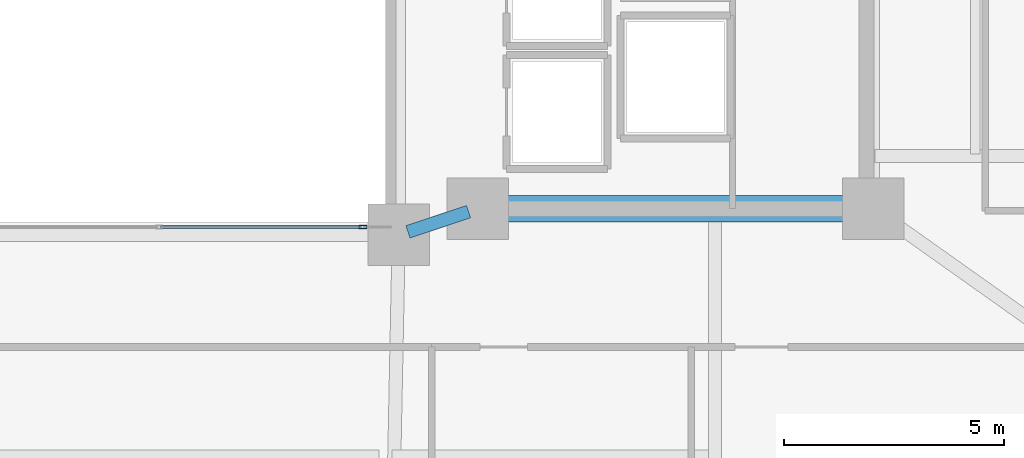
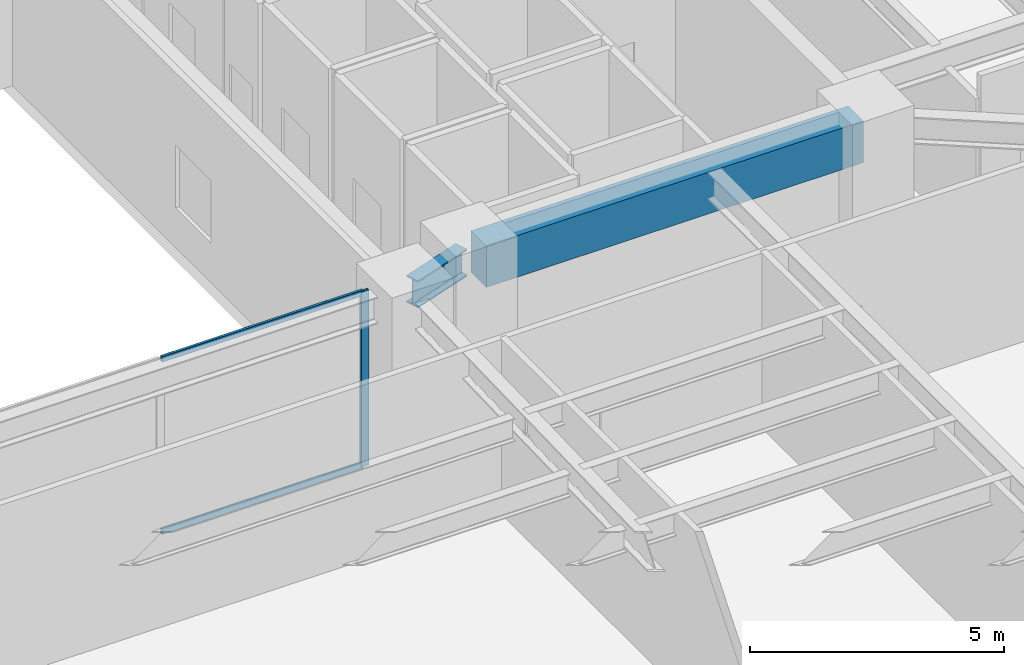
# One storey, part 14 of 39: 3 members, 2 beams, 1 element without a shape of its own.
"""IFC4 building model written with IfcOpenShell, lengths in metres."""

import ifcopenshell
import ifcopenshell.guid

model = None  # the IFC model being written
_history = None  # IfcOwnerHistory: only IFC2X3 demands one
_inside = {}  # id of a spatial element -> (the spatial element, [elements in it])
_under = {}  # id of a project, library or spatial element -> (it, [spatial elements below it])
_declared = {}  # id of a project -> (the project, [libraries it declares])
_typed = {}  # id of a type object -> (the type object, [elements of that type])
_made_of = {}  # id of a material, layer set ... -> (it, [elements and type objects made of it])


def new_model(schema):
    """Start an empty IFC model of exactly this schema.

    Asked for "IFC4X3", IfcOpenShell would pick the latest addendum, in which some entities
    have other attributes; the version numbers below select the first issue.
    IFC2X3 requires an IfcOwnerHistory on every rooted entity: one is made here for all.
    """
    global model, _history
    if schema == "IFC4X3":
        model = ifcopenshell.file(schema_version=(4, 3, 0, 0))
    else:
        model = ifcopenshell.file(schema=schema)
    _inside.clear()
    _under.clear()
    _declared.clear()
    _typed.clear()
    _made_of.clear()
    _history = None
    if model.schema == "IFC2X3":
        org = make("IfcOrganization", Name="unknown")
        user = make(
            "IfcPersonAndOrganization",
            ThePerson=make("IfcPerson", FamilyName="unknown"),
            TheOrganization=org,
        )
        app = make(
            "IfcApplication",
            ApplicationDeveloper=org,
            Version="unknown",
            ApplicationFullName="unknown",
            ApplicationIdentifier="unknown",
        )
        _history = make(
            "IfcOwnerHistory",
            OwningUser=user,
            OwningApplication=app,
            ChangeAction="ADDED",
            CreationDate=0,
        )
    return model


def make(cls, **values):
    """One entity of the class cls with the attributes given. An attribute that is None is left unset."""
    return model.create_entity(
        cls, **{name: value for name, value in values.items() if value is not None}
    )


def rooted(cls, **values):
    """An entity with a GlobalId (a new one), such as an element, a storey or a relation."""
    return make(cls, GlobalId=ifcopenshell.guid.new(), OwnerHistory=_history, **values)


def si_unit(unit_type, name, prefix=None):
    """IfcSIUnit, for example si_unit("LENGTHUNIT", "METRE", prefix="MILLI")."""
    return make("IfcSIUnit", UnitType=unit_type, Prefix=prefix, Name=name)


def assignment(units):
    """IfcUnitAssignment: the units of a project."""
    return None if units is None else make("IfcUnitAssignment", Units=units)


def point(xyz):
    """IfcCartesianPoint."""
    return None if xyz is None else make("IfcCartesianPoint", Coordinates=xyz)


def direction(xyz):
    """IfcDirection."""
    return None if xyz is None else make("IfcDirection", DirectionRatios=xyz)


def frame(location, z_axis=None, x_axis=None):
    """IfcAxis2Placement3D, a coordinate frame: its origin and axes. An axis left out is left unset."""
    return make(
        "IfcAxis2Placement3D",
        Location=point(location),
        Axis=direction(z_axis),
        RefDirection=direction(x_axis),
    )


def frame_2d(location, x_axis=None):
    """IfcAxis2Placement2D, a coordinate frame in the plane: its origin and x axis."""
    return make(
        "IfcAxis2Placement2D", Location=point(location), RefDirection=direction(x_axis)
    )


def origin():
    """The frame at (0, 0, 0) with its axes left unset."""
    return frame((0.0, 0.0, 0.0))


def origin_2d():
    """The frame at (0, 0) in the plane with its x axis left unset."""
    return frame_2d((0.0, 0.0))


def place(relative_to, where):
    """IfcLocalPlacement: puts the frame where relative to a parent placement (None: the world)."""
    return make(
        "IfcLocalPlacement", PlacementRelTo=relative_to, RelativePlacement=where
    )


def context(
    kind, dimensions, precision=None, world=None, true_north=None, identifier=None
):
    """IfcGeometricRepresentationContext, for example the 3D "Model" context."""
    return make(
        "IfcGeometricRepresentationContext",
        ContextIdentifier=identifier,
        ContextType=kind,
        CoordinateSpaceDimension=dimensions,
        Precision=precision,
        WorldCoordinateSystem=world,
        TrueNorth=true_north,
    )


def subcontext(parent, identifier, kind, view, scale=None):
    """IfcGeometricRepresentationSubContext, for example "Body" below "Model"."""
    return make(
        "IfcGeometricRepresentationSubContext",
        ContextIdentifier=identifier,
        ContextType=kind,
        ParentContext=parent,
        TargetScale=scale,
        TargetView=view,
    )


def project(units=None, contexts=None):
    """IfcProject with its units and contexts."""
    return rooted(
        "IfcProject",
        Name="project",
        RepresentationContexts=contexts,
        UnitsInContext=assignment(units),
    )


def spatial(cls, under=None, at=None, **own):
    """A site, building, storey or space (cls), placed at a placement, below another one or the project."""
    s = rooted(cls, ObjectPlacement=at, **own)
    if under is not None:
        _under.setdefault(under.id(), (under, []))[1].append(s)
    return s


def profile(cls, at=None, kind="AREA", **sizes):
    """A parametric profile (cls). Its sizes go by their IFC names, for example OverallWidth=200.0."""
    return make(cls, ProfileType=kind, Position=at, **sizes)


def rectangle(**sizes):
    """IfcRectangleProfileDef."""
    return profile("IfcRectangleProfileDef", **sizes)


def hollow_rectangle(**sizes):
    """IfcRectangleHollowProfileDef."""
    return profile("IfcRectangleHollowProfileDef", **sizes)


def i_section(**sizes):
    """IfcIShapeProfileDef."""
    return profile("IfcIShapeProfileDef", **sizes)


def extrude(swept, where, along, depth):
    """IfcExtrudedAreaSolid: the profile swept, set in the frame where, extruded along a direction by depth."""
    return make(
        "IfcExtrudedAreaSolid",
        SweptArea=swept,
        Position=where,
        ExtrudedDirection=direction(along),
        Depth=depth,
    )


def shape(context_of_items, identifier, shape_type, items):
    """IfcShapeRepresentation: the items that make up one representation, for example the "Body"."""
    return make(
        "IfcShapeRepresentation",
        ContextOfItems=context_of_items,
        RepresentationIdentifier=identifier,
        RepresentationType=shape_type,
        Items=items,
    )


def material(Name=None, Category=None):
    """IfcMaterial."""
    return make("IfcMaterial", Name=Name, Category=Category)


def layer(
    of_material, thickness, ventilated=None, Name=None, Category=None, Priority=None
):
    """IfcMaterialLayer: one layer of a wall or slab, of a material (None: an air gap)."""
    return make(
        "IfcMaterialLayer",
        Material=of_material,
        LayerThickness=thickness,
        IsVentilated=ventilated,
        Name=Name,
        Category=Category,
        Priority=Priority,
    )


def layer_set(layers, Name=None):
    """IfcMaterialLayerSet."""
    return make("IfcMaterialLayerSet", MaterialLayers=layers, LayerSetName=Name)


def material_profile(
    of_material, cross_section, Name=None, Category=None, Priority=None
):
    """IfcMaterialProfile: a cross section and its material."""
    return make(
        "IfcMaterialProfile",
        Name=Name,
        Material=of_material,
        Profile=cross_section,
        Priority=Priority,
        Category=Category,
    )


def profile_set(profiles, Name=None, composite=None):
    """IfcMaterialProfileSet."""
    return make(
        "IfcMaterialProfileSet",
        Name=Name,
        MaterialProfiles=profiles,
        CompositeProfile=composite,
    )


def made_of(thing, what):
    """Note that an element or type object is made of a material, layer set ...; save() writes the relation."""
    if what is not None:
        _made_of.setdefault(what.id(), (what, []))[1].append(thing)
    return thing


def type_object(cls, material=None, **own):
    """A type object (cls), such as IfcWallType, which elements share."""
    return made_of(rooted(cls, **own), material)


def element(
    cls,
    number,
    at=None,
    inside=None,
    cuts=None,
    type_object=None,
    material=None,
    context=None,
    identifier="Body",
    shape_type=None,
    held_by="IfcProductDefinitionShape",
    body=None,
    shapes=None,
    **own,
):
    """One element of the class cls, such as IfcWall. Its Tag is "e" and its number.

    at: its placement. inside: the storey or other place that contains it. cuts: it is an
    opening in that element (IfcRelVoidsElement). A single representation is given by context,
    identifier, shape_type and body (its items); several are given by shapes. held_by: the class
    of the entity that holds the representations. save() writes the other relations.
    """
    e = rooted(cls, Tag="e%d" % number, ObjectPlacement=at, **own)
    if body is not None:
        shapes = [shape(context, identifier, shape_type, body)]
    if shapes is not None:
        e.Representation = make(held_by, Representations=shapes)
    if inside is not None:
        _inside.setdefault(inside.id(), (inside, []))[1].append(e)
    if cuts is not None:
        rooted(
            "IfcRelVoidsElement", RelatingBuildingElement=cuts, RelatedOpeningElement=e
        )
    if type_object is not None:
        _typed.setdefault(type_object.id(), (type_object, []))[1].append(e)
    return made_of(e, material)


def aggregate(whole, parts):
    """IfcRelAggregates: a whole, such as a stair, and the parts it consists of."""
    return rooted("IfcRelAggregates", RelatingObject=whole, RelatedObjects=parts)


def save(model, path):
    """Write the relations noted so far, then the file.

    IfcRelAggregates (storeys below a building ...), IfcRelContainedInSpatialStructure (elements
    in a storey), IfcRelDefinesByType, IfcRelAssociatesMaterial and IfcRelDeclares: one each for
    every whole, place, type object, material and project.
    """
    for whole, parts in _under.values():
        aggregate(whole, parts)
    for where, things in _inside.values():
        rooted(
            "IfcRelContainedInSpatialStructure",
            RelatedElements=things,
            RelatingStructure=where,
        )
    for kind, things in _typed.values():
        rooted("IfcRelDefinesByType", RelatedObjects=things, RelatingType=kind)
    for what, things in _made_of.values():
        rooted("IfcRelAssociatesMaterial", RelatedObjects=things, RelatingMaterial=what)
    for by, libraries in _declared.values():
        rooted("IfcRelDeclares", RelatingContext=by, RelatedDefinitions=libraries)
    model.write(path)


model = new_model("IFC4")

# Units and contexts
model_context = context("Model", 3, precision=1e-05, world=origin(), true_north=direction((0.0, 1.0)))
body_context = subcontext(model_context, "Body", "Model", "MODEL_VIEW")
ifc_project = project(units=[si_unit("LENGTHUNIT", "METRE"), si_unit("AREAUNIT", "SQUARE_METRE"), si_unit("VOLUMEUNIT", "CUBIC_METRE"), si_unit("PLANEANGLEUNIT", "RADIAN"), si_unit("MASSUNIT", "GRAM", prefix="KILO")], contexts=[model_context])

# Site, building, storey
site_placement = place(None, origin())
site = spatial("IfcSite", under=ifc_project, at=site_placement, CompositionType="ELEMENT")
building_placement = place(site_placement, origin())
building = spatial("IfcBuilding", under=site, at=building_placement, Name="Tarnavaz Court Tower", CompositionType="ELEMENT")
storey_placement = place(building_placement, frame((0.0, 0.0, 68.699951171875)))
storey = spatial("IfcBuildingStorey", under=building, at=storey_placement, Name="L18", CompositionType="ELEMENT", Elevation=68.699951171875)

# Beams
ifc_material_1 = material(Name="Concrete C60/75", Category="concrete")
ifc_material_profile_1 = material_profile(ifc_material_1, rectangle(XDim=0.60009765625, YDim=1.0, at=origin_2d()), Name="RC 600X1000")
ifc_profile_set_1 = profile_set([ifc_material_profile_1], Name="Concrete C60/75")
beam_type_1 = type_object("IfcBeamType", Name="BM-CB1000", PredefinedType="LINTEL", material=ifc_profile_set_1)
beam_1_placement = place(storey_placement, frame((18.3798828125, -7.199951171875, 3.699951171875), z_axis=(-1.0, 0.0, 0.0), x_axis=(0.0, -1.0, 0.0)))
element("IfcBeam", 1, at=beam_1_placement, inside=storey, type_object=beam_type_1, Name="L18 Beam IN-CE-SO-CE-SI", PredefinedType="LINTEL", context=body_context, shape_type="SweptSolid", body=[
    extrude(rectangle(XDim=0.60009765625, YDim=1.0, at=origin_2d()), origin(), (0.0, 0.0, 1.0), 8.559814453125),
])
ifc_material_2 = material(Name="Steel S355", Category="steel")
ifc_material_profile_2 = material_profile(ifc_material_2, i_section(OverallWidth=0.300048828125, OverallDepth=0.64990234375, WebThickness=0.01611328125, FlangeThickness=0.031005859375, FilletRadius=0.027099609375, at=origin_2d()), Name="HEB 650")
ifc_profile_set_2 = profile_set([ifc_material_profile_2], Name="Steel S355")
beam_type_2 = type_object("IfcBeamType", Name="BM-G-HEB650", PredefinedType="USERDEFINED", material=ifc_profile_set_2)
beam_2_placement = place(storey_placement, frame((9.391357421875, -7.26953125, 3.875), z_axis=(-0.948666544706, -0.316278021615, 0.0), x_axis=(0.316278021615, -0.948666544706, 0.0)))
element("IfcBeam", 2, at=beam_2_placement, inside=storey, type_object=beam_type_2, Name="L18 Beam IN-CE-SI-IW-SE", ObjectType="GIRDER", PredefinedType="USERDEFINED", context=body_context, shape_type="SweptSolid", body=[
    extrude(i_section(OverallWidth=0.300048828125, OverallDepth=0.64990234375, WebThickness=0.01611328125, FlangeThickness=0.031005859375, FilletRadius=0.027099609375, at=origin_2d()), origin(), (0.0, 0.0, 1.0), 1.457275390625),
])

# Curtain wall, members
ifc_material_3 = material(Name="Anodised Aluminium 6063-T6 and Solar Low-E Glazing", Category="aluminium")
ifc_layer = layer(ifc_material_3, 0.139892578125)
ifc_layer_set = layer_set([ifc_layer], Name="Anodised Aluminium 6063-T6 and Solar Low-E Glazing")
curtain_wall_type = type_object("IfcCurtainWallType", Name="CW-SYS-04", PredefinedType="NOTDEFINED", material=ifc_layer_set)
curtain_wall_placement = place(storey_placement, origin())
curtain_wall = element("IfcCurtainWall", 3, at=curtain_wall_placement, inside=storey, type_object=curtain_wall_type, Name="L18 Badgir Courtyard Curtain Wall S", PredefinedType="NOTDEFINED")
ifc_material_4 = material(Name="Anodised Aluminium 6063-T6", Category="aluminium")
ifc_material_profile_3 = material_profile(ifc_material_4, hollow_rectangle(XDim=0.074951171875, YDim=0.179931640625, WallThickness=0.0048828125, InnerFilletRadius=0.0048828125, OuterFilletRadius=0.010009765625, at=origin_2d()), Name="ALU RHS 180X75X5")
ifc_profile_set_3 = profile_set([ifc_material_profile_3], Name="Anodised Aluminium 6063-T6")
member_type_1 = type_object("IfcMemberType", Name="CW-MUL-180", PredefinedType="MULLION", material=ifc_profile_set_3)
member_1_placement = place(storey_placement, frame((6.982421875, -7.6201171875, 0.0), z_axis=(0.0, 0.0, 1.0), x_axis=(0.0, 1.0, 0.0)))
member_1 = element("IfcMember", 4, at=member_1_placement, type_object=member_type_1, Name="CW mullion 4", PredefinedType="MULLION", context=body_context, shape_type="SweptSolid", body=[
    extrude(hollow_rectangle(XDim=0.074951171875, YDim=0.179931640625, WallThickness=0.0048828125, InnerFilletRadius=0.0048828125, OuterFilletRadius=0.010009765625, at=origin_2d()), origin(), (0.0, 0.0, 1.0), 4.199951171875),
])
ifc_material_profile_4 = material_profile(ifc_material_4, hollow_rectangle(XDim=0.06494140625, YDim=0.139892578125, WallThickness=0.00390625, InnerFilletRadius=0.00390625, OuterFilletRadius=0.008056640625, at=origin_2d()), Name="ALU RHS 140X65X4")
ifc_profile_set_4 = profile_set([ifc_material_profile_4], Name="Anodised Aluminium 6063-T6")
member_type_2 = type_object("IfcMemberType", Name="CW-TRN-140", PredefinedType="USERDEFINED", material=ifc_profile_set_4)
member_2_placement = place(storey_placement, frame((2.37744140625, -7.6201171875, 0.032470703125), z_axis=(1.0, 0.0, 0.0), x_axis=(0.0, 1.0, 0.0)))
member_2 = element("IfcMember", 5, at=member_2_placement, type_object=member_type_2, Name="CW transom 3.1", ObjectType="TRANSOM", PredefinedType="USERDEFINED", context=body_context, shape_type="SweptSolid", body=[
    extrude(hollow_rectangle(XDim=0.06494140625, YDim=0.139892578125, WallThickness=0.00390625, InnerFilletRadius=0.00390625, OuterFilletRadius=0.008056640625, at=origin_2d()), origin(), (0.0, 0.0, 1.0), 4.567626953125),
])
member_3_placement = place(storey_placement, frame((2.37744140625, -7.6201171875, 4.16748046875), z_axis=(1.0, 0.0, 0.0), x_axis=(0.0, 1.0, 0.0)))
member_3 = element("IfcMember", 6, at=member_3_placement, type_object=member_type_2, Name="CW transom 3.2", ObjectType="TRANSOM", PredefinedType="USERDEFINED", context=body_context, shape_type="SweptSolid", body=[
    extrude(hollow_rectangle(XDim=0.06494140625, YDim=0.139892578125, WallThickness=0.00390625, InnerFilletRadius=0.00390625, OuterFilletRadius=0.008056640625, at=origin_2d()), origin(), (0.0, 0.0, 1.0), 4.567626953125),
])
aggregate(curtain_wall, [member_1, member_2, member_3])

save(model, "model.ifc")
